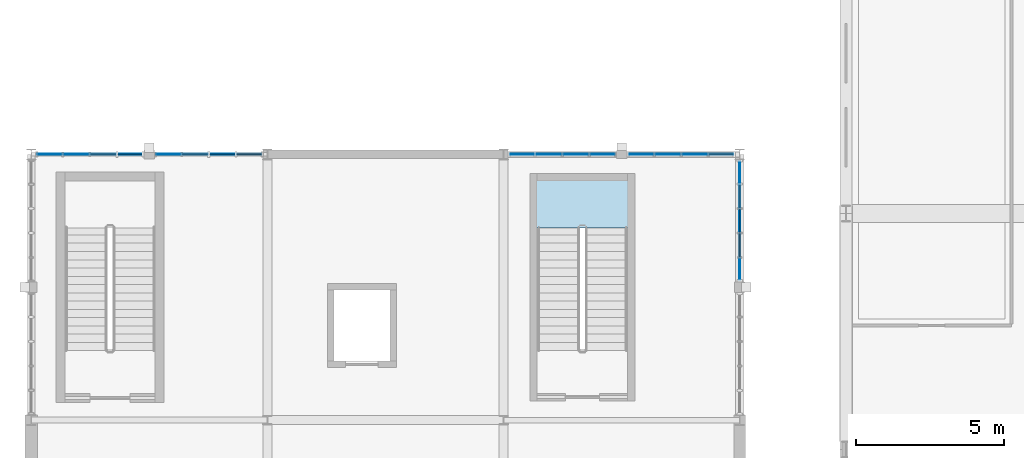
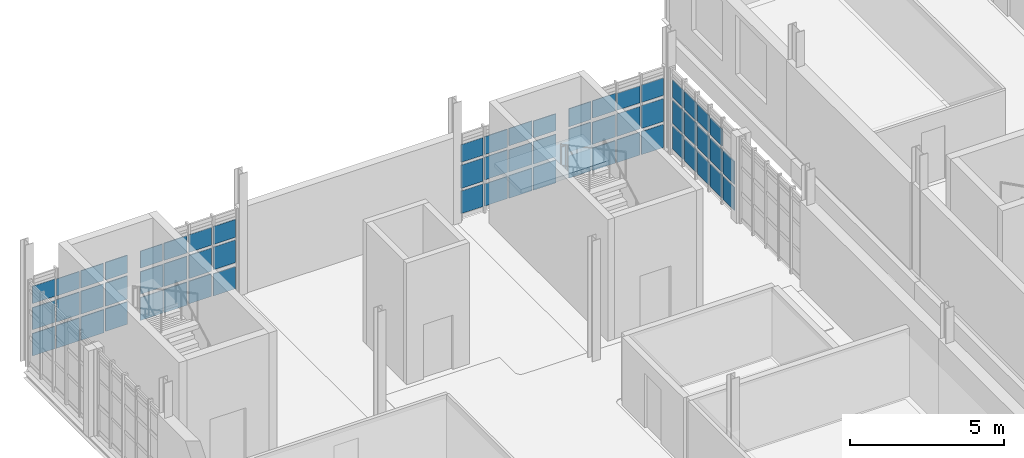
# One storey, part 87 of 128: 62 plates, 1 slab, 6 elements without a shape of their own.
"""IFC4 building model written with IfcOpenShell, lengths in metres."""

from ifc_helpers import new_model, si_unit, direction, frame, origin, origin_2d, place, context, subcontext, project, spatial, polyline, rectangle, outline, extrude, material, layer, layer_set, type_object, element, aggregate, save


model = new_model("IFC4")

# Units and contexts
model_context = context("Model", 3, precision=1e-05, world=origin(), true_north=direction((0.0, 1.0)))
body_context = subcontext(model_context, "Body", "Model", "MODEL_VIEW")
ifc_project = project(units=[si_unit("LENGTHUNIT", "METRE"), si_unit("AREAUNIT", "SQUARE_METRE"), si_unit("VOLUMEUNIT", "CUBIC_METRE"), si_unit("PLANEANGLEUNIT", "RADIAN"), si_unit("MASSUNIT", "GRAM", prefix="KILO")], contexts=[model_context])

# Site, building, storey
site_placement = place(None, origin())
site = spatial("IfcSite", under=ifc_project, at=site_placement, CompositionType="ELEMENT")
building_placement = place(site_placement, origin())
building = spatial("IfcBuilding", under=site, at=building_placement, Name="Serraforn Aerial Cableway Station", CompositionType="ELEMENT")
storey_placement = place(building_placement, frame((0.0, 0.0, 9.0)))
storey = spatial("IfcBuildingStorey", under=building, at=storey_placement, Name="L02", CompositionType="ELEMENT", Elevation=9.0)

# Curtain wall, plate
ifc_material_1 = material(Name="Anodised bronze unitised curtain wall")
curtain_wall_type_1 = type_object("IfcCurtainWallType", Name="CW-SYS-27", PredefinedType="USERDEFINED", material=ifc_material_1)
curtain_wall_1_placement = place(storey_placement, origin())
curtain_wall_1 = element("IfcCurtainWall", 1, at=curtain_wall_1_placement, inside=storey, type_object=curtain_wall_type_1, Name="Unitised Curtain Wall CW-W-L02-N1A", ObjectType="UNITISED CURTAIN WALL", PredefinedType="USERDEFINED")
ifc_material_2 = material(Name="Solar-control low-E double glazing", Category="glass")
ifc_layer_1 = layer(ifc_material_2, 0.02587890625)
ifc_layer_set_1 = layer_set([ifc_layer_1], Name="Solar-control low-E double glazing")
plate_type_1 = type_object("IfcPlateType", Name="CW-GLZ-1", PredefinedType="CURTAIN_PANEL", material=ifc_layer_set_1)
plate_1_placement = place(storey_placement, frame((4.6552734375, 36.0, 2.26171875), z_axis=(0.0, 0.0, 1.0), x_axis=(1.0, 0.0, 0.0)))
plate_1 = element("IfcPlate", 2, at=plate_1_placement, type_object=plate_type_1, Name="Curtain Wall Panel CW-W-L02-N1A-P4-3", PredefinedType="CURTAIN_PANEL", context=body_context, shape_type="SweptSolid", body=[
    extrude(rectangle(XDim=0.83447265625, YDim=0.02587890625, at=origin_2d()), origin(), (0.0, 0.0, 1.0), 0.667236328125),
])

# Curtain wall, plates
curtain_wall_type_2 = type_object("IfcCurtainWallType", Name="CW-SYS-28", PredefinedType="USERDEFINED", material=ifc_material_1)
curtain_wall_2_placement = place(storey_placement, origin())
curtain_wall_2 = element("IfcCurtainWall", 3, at=curtain_wall_2_placement, inside=storey, type_object=curtain_wall_type_2, Name="Unitised Curtain Wall CW-W-L02-N1B", ObjectType="UNITISED CURTAIN WALL", PredefinedType="USERDEFINED")
plate_2_placement = place(storey_placement, frame((1.5263671875, 36.0, 2.26171875), z_axis=(0.0, 0.0, 1.0), x_axis=(1.0, 0.0, 0.0)))
plate_2 = element("IfcPlate", 4, at=plate_2_placement, type_object=plate_type_1, Name="Curtain Wall Panel CW-W-L02-N1B-P3-3", PredefinedType="CURTAIN_PANEL", context=body_context, shape_type="SweptSolid", body=[
    extrude(rectangle(XDim=0.864501953125, YDim=0.02587890625, at=origin_2d()), origin(), (0.0, 0.0, 1.0), 0.667236328125),
])
plate_3_placement = place(storey_placement, frame((0.62451171875, 36.0, 1.23583984375), z_axis=(0.0, 0.0, 1.0), x_axis=(1.0, 0.0, 0.0)))
plate_3 = element("IfcPlate", 5, at=plate_3_placement, type_object=plate_type_1, Name="Curtain Wall Panel CW-W-L02-N1B-P4-2", PredefinedType="CURTAIN_PANEL", context=body_context, shape_type="SweptSolid", body=[
    extrude(rectangle(XDim=0.826904296875, YDim=0.02587890625, at=origin_2d()), origin(), (0.0, 0.0, 1.0), 0.87255859375),
])

curtain_wall_type_3 = type_object("IfcCurtainWallType", Name="CW-SYS-1", PredefinedType="USERDEFINED", material=ifc_material_1)
curtain_wall_3_placement = place(storey_placement, origin())
curtain_wall_3 = element("IfcCurtainWall", 6, at=curtain_wall_3_placement, inside=storey, type_object=curtain_wall_type_3, Name="Unitised Curtain Wall CW-W-L02-N3A", ObjectType="UNITISED CURTAIN WALL", PredefinedType="USERDEFINED")
plate_4_placement = place(storey_placement, frame((22.476318359375, 36.0, 2.26171875), z_axis=(0.0, 0.0, 1.0), x_axis=(1.0, 0.0, 0.0)))
plate_4 = element("IfcPlate", 7, at=plate_4_placement, type_object=plate_type_1, Name="Curtain Wall Panel CW-W-L02-N3A-P2-3", PredefinedType="CURTAIN_PANEL", context=body_context, shape_type="SweptSolid", body=[
    extrude(rectangle(XDim=0.864501953125, YDim=0.02587890625, at=origin_2d()), origin(), (0.0, 0.0, 1.0), 0.667236328125),
])
plate_5_placement = place(storey_placement, frame((21.558349609375, 36.0, 1.23583984375), z_axis=(0.0, 0.0, 1.0), x_axis=(1.0, 0.0, 0.0)))
plate_5 = element("IfcPlate", 8, at=plate_5_placement, type_object=plate_type_1, Name="Curtain Wall Panel CW-W-L02-N3A-P3-2", PredefinedType="CURTAIN_PANEL", context=body_context, shape_type="SweptSolid", body=[
    extrude(rectangle(XDim=0.859619140625, YDim=0.02587890625, at=origin_2d()), origin(), (0.0, 0.0, 1.0), 0.87255859375),
])
plate_6_placement = place(storey_placement, frame((20.65771484375, 36.0, 0.209716796875), z_axis=(0.0, 0.0, 1.0), x_axis=(1.0, 0.0, 0.0)))
plate_6 = element("IfcPlate", 9, at=plate_6_placement, type_object=plate_type_1, Name="Curtain Wall Panel CW-W-L02-N3A-P4-1", PredefinedType="CURTAIN_PANEL", context=body_context, shape_type="SweptSolid", body=[
    extrude(rectangle(XDim=0.819580078125, YDim=0.02587890625, at=origin_2d()), origin(), (0.0, 0.0, 1.0), 0.87255859375),
])

curtain_wall_type_4 = type_object("IfcCurtainWallType", Name="CW-SYS-2", PredefinedType="USERDEFINED", material=ifc_material_1)
curtain_wall_4_placement = place(storey_placement, origin())
curtain_wall_4 = element("IfcCurtainWall", 10, at=curtain_wall_4_placement, inside=storey, type_object=curtain_wall_type_4, Name="Unitised Curtain Wall CW-W-L02-N3B", ObjectType="UNITISED CURTAIN WALL", PredefinedType="USERDEFINED")
plate_7_placement = place(storey_placement, frame((19.348388671875, 36.0, 2.26171875), z_axis=(0.0, 0.0, 1.0), x_axis=(1.0, 0.0, 0.0)))
plate_7 = element("IfcPlate", 11, at=plate_7_placement, type_object=plate_type_1, Name="Curtain Wall Panel CW-W-L02-N3B-P1-3", PredefinedType="CURTAIN_PANEL", context=body_context, shape_type="SweptSolid", body=[
    extrude(rectangle(XDim=0.8369140625, YDim=0.02587890625, at=origin_2d()), origin(), (0.0, 0.0, 1.0), 0.667236328125),
])
plate_8_placement = place(storey_placement, frame((18.4443359375, 36.0, 1.23583984375), z_axis=(0.0, 0.0, 1.0), x_axis=(1.0, 0.0, 0.0)))
plate_8 = element("IfcPlate", 12, at=plate_8_placement, type_object=plate_type_1, Name="Curtain Wall Panel CW-W-L02-N3B-P2-2", PredefinedType="CURTAIN_PANEL", context=body_context, shape_type="SweptSolid", body=[
    extrude(rectangle(XDim=0.859619140625, YDim=0.02587890625, at=origin_2d()), origin(), (0.0, 0.0, 1.0), 0.87255859375),
])
plate_9_placement = place(storey_placement, frame((17.5263671875, 36.0, 0.209716796875), z_axis=(0.0, 0.0, 1.0), x_axis=(1.0, 0.0, 0.0)))
plate_9 = element("IfcPlate", 13, at=plate_9_placement, type_object=plate_type_1, Name="Curtain Wall Panel CW-W-L02-N3B-P3-1", PredefinedType="CURTAIN_PANEL", context=body_context, shape_type="SweptSolid", body=[
    extrude(rectangle(XDim=0.8544921875, YDim=0.02587890625, at=origin_2d()), origin(), (0.0, 0.0, 1.0), 0.87255859375),
])

# Curtain wall, plate
curtain_wall_type_5 = type_object("IfcCurtainWallType", Name="CW-SYS-6", PredefinedType="USERDEFINED", material=ifc_material_1)
curtain_wall_5_placement = place(storey_placement, origin())
curtain_wall_5 = element("IfcCurtainWall", 14, at=curtain_wall_5_placement, inside=storey, type_object=curtain_wall_type_5, Name="Unitised Curtain Wall CW-W-L02-E3B", ObjectType="UNITISED CURTAIN WALL", PredefinedType="USERDEFINED")
plate_10_placement = place(storey_placement, frame((24.0, 35.3876953125, 2.246826171875), z_axis=(0.0, 0.0, 1.0), x_axis=(1.0, 0.0, 0.0)))
plate_10 = element("IfcPlate", 15, at=plate_10_placement, type_object=plate_type_1, Name="Curtain Wall Panel CW-W-L02-E3B-P5-3", PredefinedType="CURTAIN_PANEL", context=body_context, shape_type="SweptSolid", body=[
    extrude(rectangle(XDim=0.02587890625, YDim=0.722412109375, at=origin_2d()), origin(), (0.0, 0.0, 1.0), 0.697265625),
])

# Plate
ifc_layer_2 = layer(ifc_material_2, 0.028076171875)
ifc_layer_set_2 = layer_set([ifc_layer_2], Name="Solar-control low-E double glazing")
plate_type_2 = type_object("IfcPlateType", Name="CW-GLZ-2", PredefinedType="CURTAIN_PANEL", material=ifc_layer_set_2)
plate_11_placement = place(storey_placement, frame((0.62451171875, 36.0, 2.26953125), z_axis=(0.0, 0.0, 1.0), x_axis=(1.0, 0.0, 0.0)))
plate_11 = element("IfcPlate", 16, at=plate_11_placement, type_object=plate_type_2, Name="Curtain Wall Panel CW-W-L02-N1B-P4-3", PredefinedType="CURTAIN_PANEL", context=body_context, shape_type="SweptSolid", body=[
    extrude(rectangle(XDim=0.826904296875, YDim=0.028076171875, at=origin_2d()), origin(), (0.0, 0.0, 1.0), 0.687255859375),
])

plate_12_placement = place(storey_placement, frame((21.558349609375, 36.0, 2.26953125), z_axis=(0.0, 0.0, 1.0), x_axis=(1.0, 0.0, 0.0)))
plate_12 = element("IfcPlate", 17, at=plate_12_placement, type_object=plate_type_2, Name="Curtain Wall Panel CW-W-L02-N3A-P3-3", PredefinedType="CURTAIN_PANEL", context=body_context, shape_type="SweptSolid", body=[
    extrude(rectangle(XDim=0.859619140625, YDim=0.028076171875, at=origin_2d()), origin(), (0.0, 0.0, 1.0), 0.687255859375),
])

plate_13_placement = place(storey_placement, frame((20.65771484375, 36.0, 1.243408203125), z_axis=(0.0, 0.0, 1.0), x_axis=(1.0, 0.0, 0.0)))
plate_13 = element("IfcPlate", 18, at=plate_13_placement, type_object=plate_type_2, Name="Curtain Wall Panel CW-W-L02-N3A-P4-2", PredefinedType="CURTAIN_PANEL", context=body_context, shape_type="SweptSolid", body=[
    extrude(rectangle(XDim=0.819580078125, YDim=0.028076171875, at=origin_2d()), origin(), (0.0, 0.0, 1.0), 0.892578125),
])

plate_14_placement = place(storey_placement, frame((18.4443359375, 36.0, 2.26953125), z_axis=(0.0, 0.0, 1.0), x_axis=(1.0, 0.0, 0.0)))
plate_14 = element("IfcPlate", 19, at=plate_14_placement, type_object=plate_type_2, Name="Curtain Wall Panel CW-W-L02-N3B-P2-3", PredefinedType="CURTAIN_PANEL", context=body_context, shape_type="SweptSolid", body=[
    extrude(rectangle(XDim=0.859619140625, YDim=0.028076171875, at=origin_2d()), origin(), (0.0, 0.0, 1.0), 0.687255859375),
])

plate_15_placement = place(storey_placement, frame((17.5263671875, 36.0, 1.243408203125), z_axis=(0.0, 0.0, 1.0), x_axis=(1.0, 0.0, 0.0)))
plate_15 = element("IfcPlate", 20, at=plate_15_placement, type_object=plate_type_2, Name="Curtain Wall Panel CW-W-L02-N3B-P3-2", PredefinedType="CURTAIN_PANEL", context=body_context, shape_type="SweptSolid", body=[
    extrude(rectangle(XDim=0.8544921875, YDim=0.028076171875, at=origin_2d()), origin(), (0.0, 0.0, 1.0), 0.892578125),
])

plate_16_placement = place(storey_placement, frame((16.626953125, 36.0, 0.21728515625), z_axis=(0.0, 0.0, 1.0), x_axis=(1.0, 0.0, 0.0)))
plate_16 = element("IfcPlate", 21, at=plate_16_placement, type_object=plate_type_2, Name="Curtain Wall Panel CW-W-L02-N3B-P4-1", PredefinedType="CURTAIN_PANEL", context=body_context, shape_type="SweptSolid", body=[
    extrude(rectangle(XDim=0.81201171875, YDim=0.028076171875, at=origin_2d()), origin(), (0.0, 0.0, 1.0), 0.892578125),
])

ifc_layer_3 = layer(ifc_material_2, 0.030029296875)
ifc_layer_set_3 = layer_set([ifc_layer_3], Name="Solar-control low-E double glazing")
plate_type_3 = type_object("IfcPlateType", Name="CW-GLZ-3", PredefinedType="CURTAIN_PANEL", material=ifc_layer_set_3)
plate_17_placement = place(storey_placement, frame((20.65771484375, 36.0, 2.24169921875), z_axis=(0.0, 0.0, 1.0), x_axis=(1.0, 0.0, 0.0)))
plate_17 = element("IfcPlate", 22, at=plate_17_placement, type_object=plate_type_3, Name="Curtain Wall Panel CW-W-L02-N3A-P4-3", PredefinedType="CURTAIN_PANEL", context=body_context, shape_type="SweptSolid", body=[
    extrude(rectangle(XDim=0.819580078125, YDim=0.030029296875, at=origin_2d()), origin(), (0.0, 0.0, 1.0), 0.709716796875),
])

plate_18_placement = place(storey_placement, frame((17.5263671875, 36.0, 2.24169921875), z_axis=(0.0, 0.0, 1.0), x_axis=(1.0, 0.0, 0.0)))
plate_18 = element("IfcPlate", 23, at=plate_18_placement, type_object=plate_type_3, Name="Curtain Wall Panel CW-W-L02-N3B-P3-3", PredefinedType="CURTAIN_PANEL", context=body_context, shape_type="SweptSolid", body=[
    extrude(rectangle(XDim=0.8544921875, YDim=0.030029296875, at=origin_2d()), origin(), (0.0, 0.0, 1.0), 0.709716796875),
])

plate_19_placement = place(storey_placement, frame((16.626953125, 36.0, 1.2158203125), z_axis=(0.0, 0.0, 1.0), x_axis=(1.0, 0.0, 0.0)))
plate_19 = element("IfcPlate", 24, at=plate_19_placement, type_object=plate_type_3, Name="Curtain Wall Panel CW-W-L02-N3B-P4-2", PredefinedType="CURTAIN_PANEL", context=body_context, shape_type="SweptSolid", body=[
    extrude(rectangle(XDim=0.81201171875, YDim=0.030029296875, at=origin_2d()), origin(), (0.0, 0.0, 1.0), 0.9150390625),
])

plate_20_placement = place(storey_placement, frame((24.0, 32.117919921875, 0.189697265625), z_axis=(0.0, 0.0, 1.0), x_axis=(1.0, 0.0, 0.0)))
plate_20 = element("IfcPlate", 25, at=plate_20_placement, type_object=plate_type_3, Name="Curtain Wall Panel CW-W-L02-E3B-P1-1", PredefinedType="CURTAIN_PANEL", context=body_context, shape_type="SweptSolid", body=[
    extrude(rectangle(XDim=0.030029296875, YDim=0.72998046875, at=origin_2d()), origin(), (0.0, 0.0, 1.0), 0.9150390625),
])

ifc_layer_4 = layer(ifc_material_2, 0.031982421875)
ifc_layer_set_4 = layer_set([ifc_layer_4], Name="Solar-control low-E double glazing")
plate_type_4 = type_object("IfcPlateType", Name="CW-GLZ-4", PredefinedType="CURTAIN_PANEL", material=ifc_layer_set_4)
plate_21_placement = place(storey_placement, frame((7.3779296875, 36.0, 0.209716796875), z_axis=(0.0, 0.0, 1.0), x_axis=(1.0, 0.0, 0.0)))
plate_21 = element("IfcPlate", 26, at=plate_21_placement, type_object=plate_type_4, Name="Curtain Wall Panel CW-W-L02-N1A-P1-1", PredefinedType="CURTAIN_PANEL", context=body_context, shape_type="SweptSolid", body=[
    extrude(rectangle(XDim=0.822021484375, YDim=0.031982421875, at=origin_2d()), origin(), (0.0, 0.0, 1.0), 0.87255859375),
])

plate_22_placement = place(storey_placement, frame((16.626953125, 36.0, 2.246826171875), z_axis=(0.0, 0.0, 1.0), x_axis=(1.0, 0.0, 0.0)))
plate_22 = element("IfcPlate", 27, at=plate_22_placement, type_object=plate_type_4, Name="Curtain Wall Panel CW-W-L02-N3B-P4-3", PredefinedType="CURTAIN_PANEL", context=body_context, shape_type="SweptSolid", body=[
    extrude(rectangle(XDim=0.81201171875, YDim=0.031982421875, at=origin_2d()), origin(), (0.0, 0.0, 1.0), 0.697265625),
])

plate_23_placement = place(storey_placement, frame((24.0, 32.117919921875, 1.220703125), z_axis=(0.0, 0.0, 1.0), x_axis=(1.0, 0.0, 0.0)))
plate_23 = element("IfcPlate", 28, at=plate_23_placement, type_object=plate_type_4, Name="Curtain Wall Panel CW-W-L02-E3B-P1-2", PredefinedType="CURTAIN_PANEL", context=body_context, shape_type="SweptSolid", body=[
    extrude(rectangle(XDim=0.031982421875, YDim=0.72998046875, at=origin_2d()), origin(), (0.0, 0.0, 1.0), 0.902587890625),
])

plate_24_placement = place(storey_placement, frame((24.0, 32.92138671875, 0.19482421875), z_axis=(0.0, 0.0, 1.0), x_axis=(1.0, 0.0, 0.0)))
plate_24 = element("IfcPlate", 29, at=plate_24_placement, type_object=plate_type_4, Name="Curtain Wall Panel CW-W-L02-E3B-P2-1", PredefinedType="CURTAIN_PANEL", context=body_context, shape_type="SweptSolid", body=[
    extrude(rectangle(XDim=0.031982421875, YDim=0.77490234375, at=origin_2d()), origin(), (0.0, 0.0, 1.0), 0.902587890625),
])

ifc_layer_5 = layer(ifc_material_2, 0.033935546875)
ifc_layer_set_5 = layer_set([ifc_layer_5], Name="Solar-control low-E double glazing")
plate_type_5 = type_object("IfcPlateType", Name="CW-GLZ-5", PredefinedType="CURTAIN_PANEL", material=ifc_layer_set_5)
plate_25_placement = place(storey_placement, frame((7.3779296875, 36.0, 1.243408203125), z_axis=(0.0, 0.0, 1.0), x_axis=(1.0, 0.0, 0.0)))
plate_25 = element("IfcPlate", 30, at=plate_25_placement, type_object=plate_type_5, Name="Curtain Wall Panel CW-W-L02-N1A-P1-2", PredefinedType="CURTAIN_PANEL", context=body_context, shape_type="SweptSolid", body=[
    extrude(rectangle(XDim=0.822021484375, YDim=0.033935546875, at=origin_2d()), origin(), (0.0, 0.0, 1.0), 0.892578125),
])

plate_26_placement = place(storey_placement, frame((6.476318359375, 36.0, 0.21728515625), z_axis=(0.0, 0.0, 1.0), x_axis=(1.0, 0.0, 0.0)))
plate_26 = element("IfcPlate", 31, at=plate_26_placement, type_object=plate_type_5, Name="Curtain Wall Panel CW-W-L02-N1A-P2-1", PredefinedType="CURTAIN_PANEL", context=body_context, shape_type="SweptSolid", body=[
    extrude(rectangle(XDim=0.849609375, YDim=0.033935546875, at=origin_2d()), origin(), (0.0, 0.0, 1.0), 0.892578125),
])

plate_27_placement = place(storey_placement, frame((3.3447265625, 36.0, 0.21728515625), z_axis=(0.0, 0.0, 1.0), x_axis=(1.0, 0.0, 0.0)))
plate_27 = element("IfcPlate", 32, at=plate_27_placement, type_object=plate_type_5, Name="Curtain Wall Panel CW-W-L02-N1B-P1-1", PredefinedType="CURTAIN_PANEL", context=body_context, shape_type="SweptSolid", body=[
    extrude(rectangle(XDim=0.814453125, YDim=0.033935546875, at=origin_2d()), origin(), (0.0, 0.0, 1.0), 0.892578125),
])

plate_28_placement = place(storey_placement, frame((24.0, 32.92138671875, 1.228515625), z_axis=(0.0, 0.0, 1.0), x_axis=(1.0, 0.0, 0.0)))
plate_28 = element("IfcPlate", 33, at=plate_28_placement, type_object=plate_type_5, Name="Curtain Wall Panel CW-W-L02-E3B-P2-2", PredefinedType="CURTAIN_PANEL", context=body_context, shape_type="SweptSolid", body=[
    extrude(rectangle(XDim=0.033935546875, YDim=0.77490234375, at=origin_2d()), origin(), (0.0, 0.0, 1.0), 0.887451171875),
])

plate_29_placement = place(storey_placement, frame((24.0, 33.749755859375, 0.2021484375), z_axis=(0.0, 0.0, 1.0), x_axis=(1.0, 0.0, 0.0)))
plate_29 = element("IfcPlate", 34, at=plate_29_placement, type_object=plate_type_5, Name="Curtain Wall Panel CW-W-L02-E3B-P3-1", PredefinedType="CURTAIN_PANEL", context=body_context, shape_type="SweptSolid", body=[
    extrude(rectangle(XDim=0.033935546875, YDim=0.77001953125, at=origin_2d()), origin(), (0.0, 0.0, 1.0), 0.887451171875),
])

ifc_layer_6 = layer(ifc_material_2, 0.035888671875)
ifc_layer_set_6 = layer_set([ifc_layer_6], Name="Solar-control low-E double glazing")
plate_type_6 = type_object("IfcPlateType", Name="CW-GLZ-6", PredefinedType="CURTAIN_PANEL", material=ifc_layer_set_6)
plate_30_placement = place(storey_placement, frame((7.3779296875, 36.0, 2.24169921875), z_axis=(0.0, 0.0, 1.0), x_axis=(1.0, 0.0, 0.0)))
plate_30 = element("IfcPlate", 35, at=plate_30_placement, type_object=plate_type_6, Name="Curtain Wall Panel CW-W-L02-N1A-P1-3", PredefinedType="CURTAIN_PANEL", context=body_context, shape_type="SweptSolid", body=[
    extrude(rectangle(XDim=0.822021484375, YDim=0.035888671875, at=origin_2d()), origin(), (0.0, 0.0, 1.0), 0.709716796875),
])

plate_31_placement = place(storey_placement, frame((6.476318359375, 36.0, 1.2158203125), z_axis=(0.0, 0.0, 1.0), x_axis=(1.0, 0.0, 0.0)))
plate_31 = element("IfcPlate", 36, at=plate_31_placement, type_object=plate_type_6, Name="Curtain Wall Panel CW-W-L02-N1A-P2-2", PredefinedType="CURTAIN_PANEL", context=body_context, shape_type="SweptSolid", body=[
    extrude(rectangle(XDim=0.849609375, YDim=0.035888671875, at=origin_2d()), origin(), (0.0, 0.0, 1.0), 0.9150390625),
])

plate_32_placement = place(storey_placement, frame((5.552001953125, 36.0, 0.189697265625), z_axis=(0.0, 0.0, 1.0), x_axis=(1.0, 0.0, 0.0)))
plate_32 = element("IfcPlate", 37, at=plate_32_placement, type_object=plate_type_6, Name="Curtain Wall Panel CW-W-L02-N1A-P3-1", PredefinedType="CURTAIN_PANEL", context=body_context, shape_type="SweptSolid", body=[
    extrude(rectangle(XDim=0.85693359375, YDim=0.035888671875, at=origin_2d()), origin(), (0.0, 0.0, 1.0), 0.9150390625),
])

plate_33_placement = place(storey_placement, frame((3.3447265625, 36.0, 1.2158203125), z_axis=(0.0, 0.0, 1.0), x_axis=(1.0, 0.0, 0.0)))
plate_33 = element("IfcPlate", 38, at=plate_33_placement, type_object=plate_type_6, Name="Curtain Wall Panel CW-W-L02-N1B-P1-2", PredefinedType="CURTAIN_PANEL", context=body_context, shape_type="SweptSolid", body=[
    extrude(rectangle(XDim=0.814453125, YDim=0.035888671875, at=origin_2d()), origin(), (0.0, 0.0, 1.0), 0.9150390625),
])

plate_34_placement = place(storey_placement, frame((2.43798828125, 36.0, 0.189697265625), z_axis=(0.0, 0.0, 1.0), x_axis=(1.0, 0.0, 0.0)))
plate_34 = element("IfcPlate", 39, at=plate_34_placement, type_object=plate_type_6, Name="Curtain Wall Panel CW-W-L02-N1B-P2-1", PredefinedType="CURTAIN_PANEL", context=body_context, shape_type="SweptSolid", body=[
    extrude(rectangle(XDim=0.85693359375, YDim=0.035888671875, at=origin_2d()), origin(), (0.0, 0.0, 1.0), 0.9150390625),
])

plate_35_placement = place(storey_placement, frame((23.369384765625, 36.0, 0.189697265625), z_axis=(0.0, 0.0, 1.0), x_axis=(1.0, 0.0, 0.0)))
plate_35 = element("IfcPlate", 40, at=plate_35_placement, type_object=plate_type_6, Name="Curtain Wall Panel CW-W-L02-N3A-P1-1", PredefinedType="CURTAIN_PANEL", context=body_context, shape_type="SweptSolid", body=[
    extrude(rectangle(XDim=0.819580078125, YDim=0.035888671875, at=origin_2d()), origin(), (0.0, 0.0, 1.0), 0.9150390625),
])

plate_36_placement = place(storey_placement, frame((24.0, 32.92138671875, 2.26171875), z_axis=(0.0, 0.0, 1.0), x_axis=(1.0, 0.0, 0.0)))
plate_36 = element("IfcPlate", 41, at=plate_36_placement, type_object=plate_type_6, Name="Curtain Wall Panel CW-W-L02-E3B-P2-3", PredefinedType="CURTAIN_PANEL", context=body_context, shape_type="SweptSolid", body=[
    extrude(rectangle(XDim=0.035888671875, YDim=0.77490234375, at=origin_2d()), origin(), (0.0, 0.0, 1.0), 0.667236328125),
])

plate_37_placement = place(storey_placement, frame((24.0, 33.749755859375, 1.23583984375), z_axis=(0.0, 0.0, 1.0), x_axis=(1.0, 0.0, 0.0)))
plate_37 = element("IfcPlate", 42, at=plate_37_placement, type_object=plate_type_6, Name="Curtain Wall Panel CW-W-L02-E3B-P3-2", PredefinedType="CURTAIN_PANEL", context=body_context, shape_type="SweptSolid", body=[
    extrude(rectangle(XDim=0.035888671875, YDim=0.77001953125, at=origin_2d()), origin(), (0.0, 0.0, 1.0), 0.87255859375),
])

plate_38_placement = place(storey_placement, frame((24.0, 34.578125, 0.209716796875), z_axis=(0.0, 0.0, 1.0), x_axis=(1.0, 0.0, 0.0)))
plate_38 = element("IfcPlate", 43, at=plate_38_placement, type_object=plate_type_6, Name="Curtain Wall Panel CW-W-L02-E3B-P4-1", PredefinedType="CURTAIN_PANEL", context=body_context, shape_type="SweptSolid", body=[
    extrude(rectangle(XDim=0.035888671875, YDim=0.764892578125, at=origin_2d()), origin(), (0.0, 0.0, 1.0), 0.87255859375),
])

ifc_layer_7 = layer(ifc_material_2, 0.029052734375)
ifc_layer_set_7 = layer_set([ifc_layer_7], Name="Solar-control low-E double glazing")
plate_type_7 = type_object("IfcPlateType", Name="CW-GLZ-7", PredefinedType="CURTAIN_PANEL", material=ifc_layer_set_7)
plate_39_placement = place(storey_placement, frame((6.476318359375, 36.0, 2.246826171875), z_axis=(0.0, 0.0, 1.0), x_axis=(1.0, 0.0, 0.0)))
plate_39 = element("IfcPlate", 44, at=plate_39_placement, type_object=plate_type_7, Name="Curtain Wall Panel CW-W-L02-N1A-P2-3", PredefinedType="CURTAIN_PANEL", context=body_context, shape_type="SweptSolid", body=[
    extrude(rectangle(XDim=0.849609375, YDim=0.029052734375, at=origin_2d()), origin(), (0.0, 0.0, 1.0), 0.697265625),
])

plate_40_placement = place(storey_placement, frame((5.552001953125, 36.0, 1.220703125), z_axis=(0.0, 0.0, 1.0), x_axis=(1.0, 0.0, 0.0)))
plate_40 = element("IfcPlate", 45, at=plate_40_placement, type_object=plate_type_7, Name="Curtain Wall Panel CW-W-L02-N1A-P3-2", PredefinedType="CURTAIN_PANEL", context=body_context, shape_type="SweptSolid", body=[
    extrude(rectangle(XDim=0.85693359375, YDim=0.029052734375, at=origin_2d()), origin(), (0.0, 0.0, 1.0), 0.902587890625),
])

plate_41_placement = place(storey_placement, frame((4.6552734375, 36.0, 0.19482421875), z_axis=(0.0, 0.0, 1.0), x_axis=(1.0, 0.0, 0.0)))
plate_41 = element("IfcPlate", 46, at=plate_41_placement, type_object=plate_type_7, Name="Curtain Wall Panel CW-W-L02-N1A-P4-1", PredefinedType="CURTAIN_PANEL", context=body_context, shape_type="SweptSolid", body=[
    extrude(rectangle(XDim=0.83447265625, YDim=0.029052734375, at=origin_2d()), origin(), (0.0, 0.0, 1.0), 0.902587890625),
])

plate_42_placement = place(storey_placement, frame((3.3447265625, 36.0, 2.246826171875), z_axis=(0.0, 0.0, 1.0), x_axis=(1.0, 0.0, 0.0)))
plate_42 = element("IfcPlate", 47, at=plate_42_placement, type_object=plate_type_7, Name="Curtain Wall Panel CW-W-L02-N1B-P1-3", PredefinedType="CURTAIN_PANEL", context=body_context, shape_type="SweptSolid", body=[
    extrude(rectangle(XDim=0.814453125, YDim=0.029052734375, at=origin_2d()), origin(), (0.0, 0.0, 1.0), 0.697265625),
])

plate_43_placement = place(storey_placement, frame((2.43798828125, 36.0, 1.220703125), z_axis=(0.0, 0.0, 1.0), x_axis=(1.0, 0.0, 0.0)))
plate_43 = element("IfcPlate", 48, at=plate_43_placement, type_object=plate_type_7, Name="Curtain Wall Panel CW-W-L02-N1B-P2-2", PredefinedType="CURTAIN_PANEL", context=body_context, shape_type="SweptSolid", body=[
    extrude(rectangle(XDim=0.85693359375, YDim=0.029052734375, at=origin_2d()), origin(), (0.0, 0.0, 1.0), 0.902587890625),
])

plate_44_placement = place(storey_placement, frame((1.5263671875, 36.0, 0.19482421875), z_axis=(0.0, 0.0, 1.0), x_axis=(1.0, 0.0, 0.0)))
plate_44 = element("IfcPlate", 49, at=plate_44_placement, type_object=plate_type_7, Name="Curtain Wall Panel CW-W-L02-N1B-P3-1", PredefinedType="CURTAIN_PANEL", context=body_context, shape_type="SweptSolid", body=[
    extrude(rectangle(XDim=0.864501953125, YDim=0.029052734375, at=origin_2d()), origin(), (0.0, 0.0, 1.0), 0.902587890625),
])

plate_45_placement = place(storey_placement, frame((23.369384765625, 36.0, 1.220703125), z_axis=(0.0, 0.0, 1.0), x_axis=(1.0, 0.0, 0.0)))
plate_45 = element("IfcPlate", 50, at=plate_45_placement, type_object=plate_type_7, Name="Curtain Wall Panel CW-W-L02-N3A-P1-2", PredefinedType="CURTAIN_PANEL", context=body_context, shape_type="SweptSolid", body=[
    extrude(rectangle(XDim=0.819580078125, YDim=0.029052734375, at=origin_2d()), origin(), (0.0, 0.0, 1.0), 0.902587890625),
])

plate_46_placement = place(storey_placement, frame((22.476318359375, 36.0, 0.19482421875), z_axis=(0.0, 0.0, 1.0), x_axis=(1.0, 0.0, 0.0)))
plate_46 = element("IfcPlate", 51, at=plate_46_placement, type_object=plate_type_7, Name="Curtain Wall Panel CW-W-L02-N3A-P2-1", PredefinedType="CURTAIN_PANEL", context=body_context, shape_type="SweptSolid", body=[
    extrude(rectangle(XDim=0.864501953125, YDim=0.029052734375, at=origin_2d()), origin(), (0.0, 0.0, 1.0), 0.902587890625),
])

plate_47_placement = place(storey_placement, frame((19.348388671875, 36.0, 0.19482421875), z_axis=(0.0, 0.0, 1.0), x_axis=(1.0, 0.0, 0.0)))
plate_47 = element("IfcPlate", 52, at=plate_47_placement, type_object=plate_type_7, Name="Curtain Wall Panel CW-W-L02-N3B-P1-1", PredefinedType="CURTAIN_PANEL", context=body_context, shape_type="SweptSolid", body=[
    extrude(rectangle(XDim=0.8369140625, YDim=0.029052734375, at=origin_2d()), origin(), (0.0, 0.0, 1.0), 0.902587890625),
])

plate_48_placement = place(storey_placement, frame((24.0, 33.749755859375, 2.26953125), z_axis=(0.0, 0.0, 1.0), x_axis=(1.0, 0.0, 0.0)))
plate_48 = element("IfcPlate", 53, at=plate_48_placement, type_object=plate_type_7, Name="Curtain Wall Panel CW-W-L02-E3B-P3-3", PredefinedType="CURTAIN_PANEL", context=body_context, shape_type="SweptSolid", body=[
    extrude(rectangle(XDim=0.029052734375, YDim=0.77001953125, at=origin_2d()), origin(), (0.0, 0.0, 1.0), 0.687255859375),
])

plate_49_placement = place(storey_placement, frame((24.0, 34.578125, 1.243408203125), z_axis=(0.0, 0.0, 1.0), x_axis=(1.0, 0.0, 0.0)))
plate_49 = element("IfcPlate", 54, at=plate_49_placement, type_object=plate_type_7, Name="Curtain Wall Panel CW-W-L02-E3B-P4-2", PredefinedType="CURTAIN_PANEL", context=body_context, shape_type="SweptSolid", body=[
    extrude(rectangle(XDim=0.029052734375, YDim=0.764892578125, at=origin_2d()), origin(), (0.0, 0.0, 1.0), 0.892578125),
])

plate_50_placement = place(storey_placement, frame((24.0, 35.3876953125, 0.21728515625), z_axis=(0.0, 0.0, 1.0), x_axis=(1.0, 0.0, 0.0)))
plate_50 = element("IfcPlate", 55, at=plate_50_placement, type_object=plate_type_7, Name="Curtain Wall Panel CW-W-L02-E3B-P5-1", PredefinedType="CURTAIN_PANEL", context=body_context, shape_type="SweptSolid", body=[
    extrude(rectangle(XDim=0.029052734375, YDim=0.722412109375, at=origin_2d()), origin(), (0.0, 0.0, 1.0), 0.892578125),
])

ifc_layer_8 = layer(ifc_material_2, 0.031005859375)
ifc_layer_set_8 = layer_set([ifc_layer_8], Name="Solar-control low-E double glazing")
plate_type_8 = type_object("IfcPlateType", Name="CW-GLZ-8", PredefinedType="CURTAIN_PANEL", material=ifc_layer_set_8)
plate_51_placement = place(storey_placement, frame((5.552001953125, 36.0, 2.25439453125), z_axis=(0.0, 0.0, 1.0), x_axis=(1.0, 0.0, 0.0)))
plate_51 = element("IfcPlate", 56, at=plate_51_placement, type_object=plate_type_8, Name="Curtain Wall Panel CW-W-L02-N1A-P3-3", PredefinedType="CURTAIN_PANEL", context=body_context, shape_type="SweptSolid", body=[
    extrude(rectangle(XDim=0.85693359375, YDim=0.031005859375, at=origin_2d()), origin(), (0.0, 0.0, 1.0), 0.682373046875),
])

plate_52_placement = place(storey_placement, frame((4.6552734375, 36.0, 1.228515625), z_axis=(0.0, 0.0, 1.0), x_axis=(1.0, 0.0, 0.0)))
plate_52 = element("IfcPlate", 57, at=plate_52_placement, type_object=plate_type_8, Name="Curtain Wall Panel CW-W-L02-N1A-P4-2", PredefinedType="CURTAIN_PANEL", context=body_context, shape_type="SweptSolid", body=[
    extrude(rectangle(XDim=0.83447265625, YDim=0.031005859375, at=origin_2d()), origin(), (0.0, 0.0, 1.0), 0.887451171875),
])

aggregate(curtain_wall_1, [plate_21, plate_25, plate_30, plate_26, plate_31, plate_39, plate_32, plate_40, plate_51, plate_41, plate_52, plate_1])

plate_53_placement = place(storey_placement, frame((2.43798828125, 36.0, 2.25439453125), z_axis=(0.0, 0.0, 1.0), x_axis=(1.0, 0.0, 0.0)))
plate_53 = element("IfcPlate", 58, at=plate_53_placement, type_object=plate_type_8, Name="Curtain Wall Panel CW-W-L02-N1B-P2-3", PredefinedType="CURTAIN_PANEL", context=body_context, shape_type="SweptSolid", body=[
    extrude(rectangle(XDim=0.85693359375, YDim=0.031005859375, at=origin_2d()), origin(), (0.0, 0.0, 1.0), 0.682373046875),
])

plate_54_placement = place(storey_placement, frame((1.5263671875, 36.0, 1.228515625), z_axis=(0.0, 0.0, 1.0), x_axis=(1.0, 0.0, 0.0)))
plate_54 = element("IfcPlate", 59, at=plate_54_placement, type_object=plate_type_8, Name="Curtain Wall Panel CW-W-L02-N1B-P3-2", PredefinedType="CURTAIN_PANEL", context=body_context, shape_type="SweptSolid", body=[
    extrude(rectangle(XDim=0.864501953125, YDim=0.031005859375, at=origin_2d()), origin(), (0.0, 0.0, 1.0), 0.887451171875),
])

plate_55_placement = place(storey_placement, frame((0.62451171875, 36.0, 0.2021484375), z_axis=(0.0, 0.0, 1.0), x_axis=(1.0, 0.0, 0.0)))
plate_55 = element("IfcPlate", 60, at=plate_55_placement, type_object=plate_type_8, Name="Curtain Wall Panel CW-W-L02-N1B-P4-1", PredefinedType="CURTAIN_PANEL", context=body_context, shape_type="SweptSolid", body=[
    extrude(rectangle(XDim=0.826904296875, YDim=0.031005859375, at=origin_2d()), origin(), (0.0, 0.0, 1.0), 0.887451171875),
])

aggregate(curtain_wall_2, [plate_27, plate_33, plate_42, plate_34, plate_43, plate_53, plate_44, plate_54, plate_2, plate_55, plate_3, plate_11])

plate_56_placement = place(storey_placement, frame((23.369384765625, 36.0, 2.25439453125), z_axis=(0.0, 0.0, 1.0), x_axis=(1.0, 0.0, 0.0)))
plate_56 = element("IfcPlate", 61, at=plate_56_placement, type_object=plate_type_8, Name="Curtain Wall Panel CW-W-L02-N3A-P1-3", PredefinedType="CURTAIN_PANEL", context=body_context, shape_type="SweptSolid", body=[
    extrude(rectangle(XDim=0.819580078125, YDim=0.031005859375, at=origin_2d()), origin(), (0.0, 0.0, 1.0), 0.682373046875),
])

plate_57_placement = place(storey_placement, frame((22.476318359375, 36.0, 1.228515625), z_axis=(0.0, 0.0, 1.0), x_axis=(1.0, 0.0, 0.0)))
plate_57 = element("IfcPlate", 62, at=plate_57_placement, type_object=plate_type_8, Name="Curtain Wall Panel CW-W-L02-N3A-P2-2", PredefinedType="CURTAIN_PANEL", context=body_context, shape_type="SweptSolid", body=[
    extrude(rectangle(XDim=0.864501953125, YDim=0.031005859375, at=origin_2d()), origin(), (0.0, 0.0, 1.0), 0.887451171875),
])

plate_58_placement = place(storey_placement, frame((21.558349609375, 36.0, 0.2021484375), z_axis=(0.0, 0.0, 1.0), x_axis=(1.0, 0.0, 0.0)))
plate_58 = element("IfcPlate", 63, at=plate_58_placement, type_object=plate_type_8, Name="Curtain Wall Panel CW-W-L02-N3A-P3-1", PredefinedType="CURTAIN_PANEL", context=body_context, shape_type="SweptSolid", body=[
    extrude(rectangle(XDim=0.859619140625, YDim=0.031005859375, at=origin_2d()), origin(), (0.0, 0.0, 1.0), 0.887451171875),
])

aggregate(curtain_wall_3, [plate_35, plate_45, plate_56, plate_46, plate_57, plate_4, plate_58, plate_5, plate_12, plate_6, plate_13, plate_17])

plate_59_placement = place(storey_placement, frame((19.348388671875, 36.0, 1.228515625), z_axis=(0.0, 0.0, 1.0), x_axis=(1.0, 0.0, 0.0)))
plate_59 = element("IfcPlate", 64, at=plate_59_placement, type_object=plate_type_8, Name="Curtain Wall Panel CW-W-L02-N3B-P1-2", PredefinedType="CURTAIN_PANEL", context=body_context, shape_type="SweptSolid", body=[
    extrude(rectangle(XDim=0.8369140625, YDim=0.031005859375, at=origin_2d()), origin(), (0.0, 0.0, 1.0), 0.887451171875),
])

plate_60_placement = place(storey_placement, frame((18.4443359375, 36.0, 0.2021484375), z_axis=(0.0, 0.0, 1.0), x_axis=(1.0, 0.0, 0.0)))
plate_60 = element("IfcPlate", 65, at=plate_60_placement, type_object=plate_type_8, Name="Curtain Wall Panel CW-W-L02-N3B-P2-1", PredefinedType="CURTAIN_PANEL", context=body_context, shape_type="SweptSolid", body=[
    extrude(rectangle(XDim=0.859619140625, YDim=0.031005859375, at=origin_2d()), origin(), (0.0, 0.0, 1.0), 0.887451171875),
])

aggregate(curtain_wall_4, [plate_47, plate_59, plate_7, plate_60, plate_8, plate_14, plate_9, plate_15, plate_18, plate_16, plate_19, plate_22])

plate_61_placement = place(storey_placement, frame((24.0, 34.578125, 2.24169921875), z_axis=(0.0, 0.0, 1.0), x_axis=(1.0, 0.0, 0.0)))
plate_61 = element("IfcPlate", 66, at=plate_61_placement, type_object=plate_type_8, Name="Curtain Wall Panel CW-W-L02-E3B-P4-3", PredefinedType="CURTAIN_PANEL", context=body_context, shape_type="SweptSolid", body=[
    extrude(rectangle(XDim=0.031005859375, YDim=0.764892578125, at=origin_2d()), origin(), (0.0, 0.0, 1.0), 0.709716796875),
])

plate_62_placement = place(storey_placement, frame((24.0, 35.3876953125, 1.2158203125), z_axis=(0.0, 0.0, 1.0), x_axis=(1.0, 0.0, 0.0)))
plate_62 = element("IfcPlate", 67, at=plate_62_placement, type_object=plate_type_8, Name="Curtain Wall Panel CW-W-L02-E3B-P5-2", PredefinedType="CURTAIN_PANEL", context=body_context, shape_type="SweptSolid", body=[
    extrude(rectangle(XDim=0.031005859375, YDim=0.722412109375, at=origin_2d()), origin(), (0.0, 0.0, 1.0), 0.9150390625),
])

aggregate(curtain_wall_5, [plate_20, plate_23, plate_24, plate_28, plate_36, plate_29, plate_37, plate_48, plate_38, plate_49, plate_61, plate_50, plate_62, plate_10])

# Stair, slab
ifc_material_3 = material(Name="Concrete C35/45", Category="concrete")
stair_type = type_object("IfcStairType", Name="STR-DL-2", PredefinedType="HALF_TURN_STAIR", material=ifc_material_3)
stair_placement = place(storey_placement, origin())
stair = element("IfcStair", 68, at=stair_placement, inside=storey, type_object=stair_type, Name="L02 West Wing East Exit Stair 2", PredefinedType="HALF_TURN_STAIR")
ifc_layer_9 = layer(ifc_material_3, 0.159912109375)
ifc_layer_set_9 = layer_set([ifc_layer_9], Name="Concrete C35/45")
slab_type = type_object("IfcSlabType", Name="SLB-LND-160", PredefinedType="LANDING", material=ifc_layer_set_9)
slab_placement = place(storey_placement, frame((0.0, 0.0, 2.239990234375)))
slab = element("IfcSlab", 69, at=slab_placement, type_object=slab_type, Name="ST-02 landing 1", PredefinedType="LANDING", context=body_context, shape_type="SweptSolid", body=[
    extrude(outline(polyline([(20.320068359375, 33.5), (20.320068359375, 35.219970703125), (17.02001953125, 35.219970703125), (17.02001953125, 33.5), (20.320068359375, 33.5)])), origin(), (0.0, 0.0, 1.0), 0.159912109375),
])
aggregate(stair, [slab])

save(model, "model.ifc")
